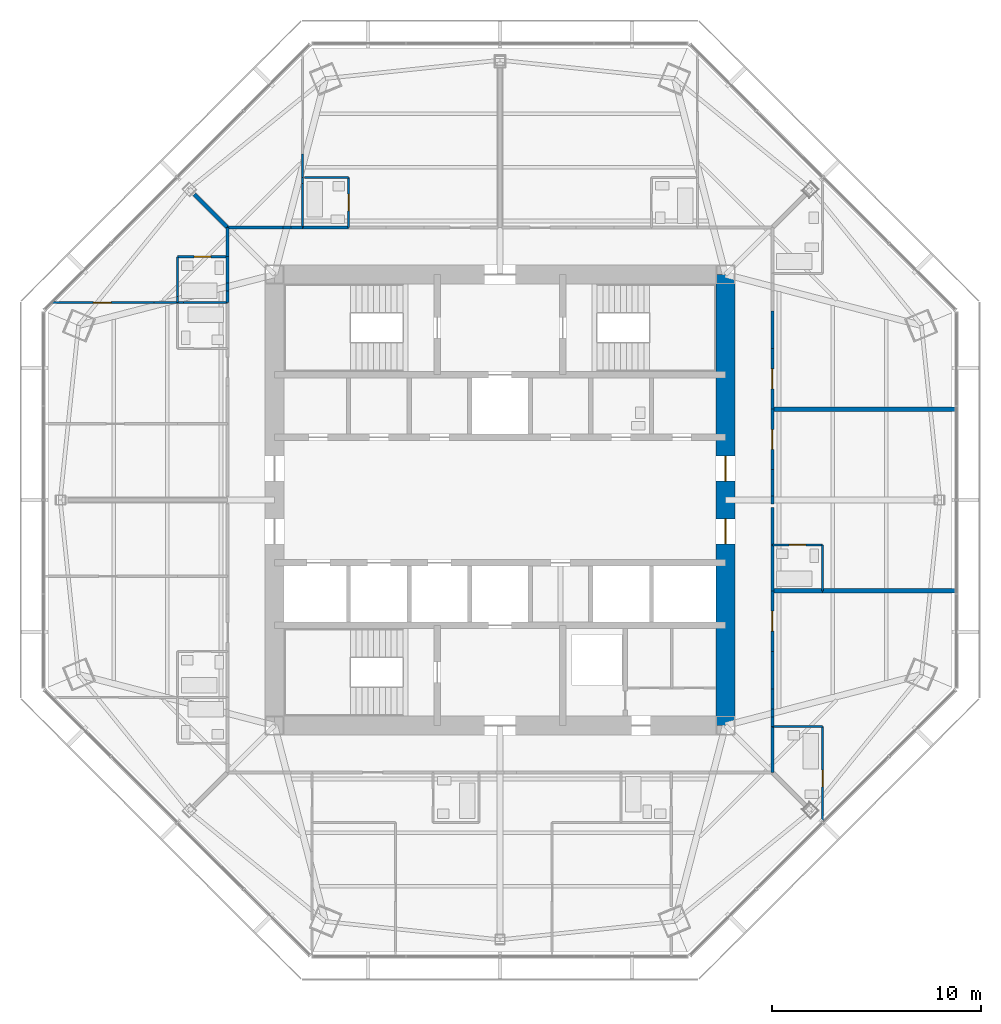
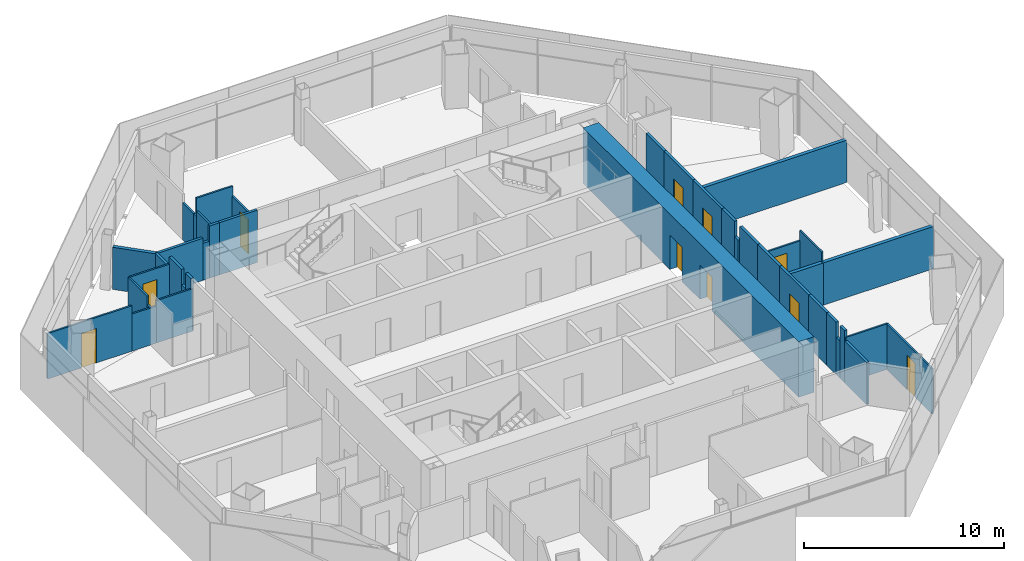
# One storey, part 11 of 16: 41 walls, 10 doors, 10 openings.
"""IFC4 building model written with IfcOpenShell, lengths in metres."""

from ifc_helpers import new_model, si_unit, direction, frame, frame_2d, origin, place, context, subcontext, project, spatial, rectangle, extrude, material, layer, layer_set, type_object, element, fill, save


model = new_model("IFC4")

# Units and contexts
model_context = context("Model", 3, precision=1e-05, world=origin(), true_north=direction((0.0, 1.0)))
body_context = subcontext(model_context, "Body", "Model", "MODEL_VIEW")
ifc_project = project(units=[si_unit("LENGTHUNIT", "METRE"), si_unit("AREAUNIT", "SQUARE_METRE"), si_unit("VOLUMEUNIT", "CUBIC_METRE"), si_unit("PLANEANGLEUNIT", "RADIAN"), si_unit("MASSUNIT", "GRAM", prefix="KILO")], contexts=[model_context])

# Site, building, storey
site_placement = place(None, origin())
site = spatial("IfcSite", under=ifc_project, at=site_placement, CompositionType="ELEMENT")
building_placement = place(site_placement, origin())
building = spatial("IfcBuilding", under=site, at=building_placement, Name="Mashrafa Tower", CompositionType="ELEMENT")
storey_placement = place(building_placement, frame((0.0, 0.0, 217.60009765625)))
storey = spatial("IfcBuildingStorey", under=building, at=storey_placement, Name="L50", CompositionType="ELEMENT", Elevation=217.60009765625)

# Walls
ifc_material_1 = material(Name="Gypsum board on steel studs", Category="steel")
ifc_layer_1 = layer(ifc_material_1, 0.199951171875)
ifc_layer_set_1 = layer_set([ifc_layer_1], Name="Acoustic partition 200 1 hr")
wall_type_1 = type_object("IfcWallType", Name="Acoustic partition 200 1 hr", PredefinedType="PARTITIONING", material=ifc_layer_set_1)
wall_1_placement = place(storey_placement, frame((15.450927734375, -4.35009765625, 0.0), z_axis=(0.0, 0.0, 1.0), x_axis=(-1.0, 0.0, 0.0)))
element("IfcWall", 1, at=wall_1_placement, inside=storey, type_object=wall_type_1, Name="Acoustic wall L50-064", PredefinedType="PARTITIONING", context=body_context, shape_type="SweptSolid", body=[
    extrude(rectangle(XDim=2.40087890625, YDim=0.199951171875, at=frame_2d((1.200439453125, 0.0))), origin(), (0.0, 0.0, 1.0), 2.590576171875),
])
wall_2_placement = place(storey_placement, frame((21.841064453125, -4.35009765625, 0.0), z_axis=(0.0, 0.0, 1.0), x_axis=(-1.0, 0.0, 0.0)))
element("IfcWall", 2, at=wall_2_placement, inside=storey, type_object=wall_type_1, Name="Acoustic wall L50-065", PredefinedType="PARTITIONING", context=body_context, shape_type="SweptSolid", body=[
    extrude(rectangle(XDim=6.39208984375, YDim=0.199951171875, at=frame_2d((3.196044921875, 0.0))), origin(), (0.0, 0.0, 1.0), 2.590576171875),
])
wall_3_placement = place(storey_placement, frame((21.841064453125, 4.35009765625, 0.0), z_axis=(0.0, 0.0, 1.0), x_axis=(-1.0, 0.0, 0.0)))
element("IfcWall", 3, at=wall_3_placement, inside=storey, type_object=wall_type_1, Name="Acoustic wall L50-068", PredefinedType="PARTITIONING", context=body_context, shape_type="SweptSolid", body=[
    extrude(rectangle(XDim=8.791015625, YDim=0.199951171875, at=frame_2d((4.3955078125, 0.0))), origin(), (0.0, 0.0, 1.0), 2.590576171875),
])
wall_4_placement = place(storey_placement, frame((-14.6328125, 14.6328125, 0.0), z_axis=(0.0, 0.0, 1.0), x_axis=(0.707106781187, -0.707106781187, 0.0)))
element("IfcWall", 4, at=wall_4_placement, inside=storey, type_object=wall_type_1, Name="Acoustic wall L50-083", PredefinedType="PARTITIONING", context=body_context, shape_type="SweptSolid", body=[
    extrude(rectangle(XDim=2.23828125, YDim=0.199951171875, at=frame_2d((1.119140625, 0.0))), origin(), (0.0, 0.0, 1.0), 2.577880859375),
])

# Wall, openings, doors
ifc_material_2 = material(Name="Concrete C50/60", Category="concrete")
ifc_layer_2 = layer(ifc_material_2, 0.89990234375)
ifc_layer_set_2 = layer_set([ifc_layer_2], Name="Core wall 900 C50/60")
wall_type_2 = type_object("IfcWallType", Name="Core wall 900 C50/60", PredefinedType="SOLIDWALL", material=ifc_layer_set_2)
wall_5_placement = place(storey_placement, frame((10.800048828125, -10.800048828125, 0.0), z_axis=(0.0, 0.0, 1.0), x_axis=(0.0, 1.0, 0.0)))
wall_5 = element("IfcWall", 5, at=wall_5_placement, inside=storey, type_object=wall_type_2, Name="Core wall CW-E L50", PredefinedType="SOLIDWALL", context=body_context, shape_type="SweptSolid", body=[
    extrude(rectangle(XDim=21.60009765625, YDim=0.89990234375, at=frame_2d((10.800048828125, 0.0))), origin(), (0.0, 0.0, 1.0), 3.39990234375),
])
opening_1_placement = place(wall_5_placement, frame((11.699951171875, 0.0, 0.0)))
opening_1 = element("IfcOpeningElement", 6, at=opening_1_placement, cuts=wall_5, Name="Opening 50.030", PredefinedType="OPENING", context=body_context, shape_type="SweptSolid", body=[
    extrude(rectangle(XDim=1.199951171875, YDim=2.10009765625, at=frame_2d((0.60009765625, 1.050048828125))), frame((0.0, 0.4599609375, 0.0), z_axis=(0.0, -1.0, 0.0), x_axis=(1.0, 0.0, 0.0)), (0.0, 0.0, 1.0), 0.919921875),
])
opening_2_placement = place(wall_5_placement, frame((8.699951171875, 0.0, 0.0)))
opening_2 = element("IfcOpeningElement", 7, at=opening_2_placement, cuts=wall_5, Name="Opening 50.032", PredefinedType="OPENING", context=body_context, shape_type="SweptSolid", body=[
    extrude(rectangle(XDim=1.199951171875, YDim=2.10009765625, at=frame_2d((0.60009765625, 1.050048828125))), frame((0.0, 0.4599609375, 0.0), z_axis=(0.0, -1.0, 0.0), x_axis=(1.0, 0.0, 0.0)), (0.0, 0.0, 1.0), 0.919921875),
])
ifc_material_3 = material(Name="Steel door", Category="steel")
door_type_1 = type_object("IfcDoorType", Name="Lift hall door 1200 x 2100 90 min", OperationType="USERDEFINED", PredefinedType="DOOR", material=ifc_material_3)
door_1_placement = place(opening_1_placement, frame((1.199951171875, 0.0, 0.0), z_axis=(0.0, 0.0, 1.0), x_axis=(-1.0, 0.0, 0.0)))
door_1 = element("IfcDoor", 8, at=door_1_placement, inside=storey, type_object=door_type_1, Name="Lift hall door east L50", OperationType="SINGLE_SWING_LEFT", OverallHeight=2.10009765625, OverallWidth=1.199951171875, PredefinedType="DOOR", context=body_context, shape_type="SweptSolid", body=[
    extrude(rectangle(XDim=1.199951171875, YDim=2.10009765625, at=frame_2d((0.60009765625, 1.050048828125))), frame((0.0, 0.02490234375, 0.0), z_axis=(0.0, -1.0, 0.0), x_axis=(1.0, 0.0, 0.0)), (0.0, 0.0, 1.0), 0.050048828125),
])
fill(opening_1, door_1)
door_2_placement = place(opening_2_placement, frame((1.199951171875, 0.0, 0.0), z_axis=(0.0, 0.0, 1.0), x_axis=(-1.0, 0.0, 0.0)))
door_2 = element("IfcDoor", 9, at=door_2_placement, inside=storey, type_object=door_type_1, Name="Lift hall door east L50", OperationType="SINGLE_SWING_RIGHT", OverallHeight=2.10009765625, OverallWidth=1.199951171875, PredefinedType="DOOR", context=body_context, shape_type="SweptSolid", body=[
    extrude(rectangle(XDim=1.199951171875, YDim=2.10009765625, at=frame_2d((0.60009765625, 1.050048828125))), frame((0.0, 0.02490234375, 0.0), z_axis=(0.0, -1.0, 0.0), x_axis=(1.0, 0.0, 0.0)), (0.0, 0.0, 1.0), 0.050048828125),
])
fill(opening_2, door_2)

# Walls
ifc_material_4 = material(Name="Gypsum board on steel studs", Category="steel")
ifc_layer_3 = layer(ifc_material_4, 0.14990234375)
ifc_layer_set_3 = layer_set([ifc_layer_3], Name="Corridor partition 150 1 hr")
wall_type_3 = type_object("IfcWallType", Name="Corridor partition 150 1 hr", PredefinedType="PARTITIONING", material=ifc_layer_set_3)
wall_6_placement = place(storey_placement, frame((13.050048828125, -13.050048828125, 0.0), z_axis=(0.0, 0.0, 1.0), x_axis=(0.0, 1.0, 0.0)))
element("IfcWall", 10, at=wall_6_placement, inside=storey, type_object=wall_type_3, Name="Corridor wall L50-001", PredefinedType="PARTITIONING", context=body_context, shape_type="SweptSolid", body=[
    extrude(rectangle(XDim=2.200927734375, YDim=0.14990234375, at=frame_2d((1.1005859375, 0.0))), origin(), (0.0, 0.0, 1.0), 2.577880859375),
])
wall_7_placement = place(storey_placement, frame((13.050048828125, -9.051025390625, 0.0), z_axis=(0.0, 0.0, 1.0), x_axis=(0.0, 1.0, 0.0)))
element("IfcWall", 11, at=wall_7_placement, inside=storey, type_object=wall_type_3, Name="Corridor wall L50-002", PredefinedType="PARTITIONING", context=body_context, shape_type="SweptSolid", body=[
    extrude(rectangle(XDim=1.802001953125, YDim=0.14990234375, at=frame_2d((0.90087890625, 0.0))), origin(), (0.0, 0.0, 1.0), 3.199951171875),
])
wall_8_placement = place(storey_placement, frame((13.050048828125, -10.85107421875, 0.0), z_axis=(0.0, 0.0, 1.0), x_axis=(0.0, 1.0, 0.0)))
element("IfcWall", 12, at=wall_8_placement, inside=storey, type_object=wall_type_3, Name="Corridor wall L50-003", PredefinedType="PARTITIONING", context=body_context, shape_type="SweptSolid", body=[
    extrude(rectangle(XDim=0.46240234375, YDim=0.14990234375, at=frame_2d((0.231201171875, 0.0))), origin(), (0.0, 0.0, 1.0), 3.199951171875),
])
wall_9_placement = place(storey_placement, frame((13.050048828125, -10.010986328125, 0.0), z_axis=(0.0, 0.0, 1.0), x_axis=(0.0, 1.0, 0.0)))
element("IfcWall", 13, at=wall_9_placement, inside=storey, type_object=wall_type_3, Name="Corridor wall L50-004", PredefinedType="PARTITIONING", context=body_context, shape_type="SweptSolid", body=[
    extrude(rectangle(XDim=0.9619140625, YDim=0.14990234375, at=frame_2d((0.48095703125, 0.0))), origin(), (0.0, 0.0, 1.0), 3.199951171875),
])
wall_10_placement = place(storey_placement, frame((13.050048828125, -10.388671875, 0.0), z_axis=(0.0, 0.0, 1.0), x_axis=(0.0, 1.0, 0.0)))
element("IfcWall", 14, at=wall_10_placement, inside=storey, type_object=wall_type_3, Name="Corridor wall L50-005", PredefinedType="PARTITIONING", context=body_context, shape_type="SweptSolid", body=[
    extrude(rectangle(XDim=0.377685546875, YDim=0.14990234375, at=frame_2d((0.18896484375, 0.0))), origin(), (0.0, 0.0, 1.0), 2.26806640625),
])

# Wall, opening, door
wall_11_placement = place(storey_placement, frame((13.050048828125, -7.2509765625, 0.0), z_axis=(0.0, 0.0, 1.0), x_axis=(0.0, 1.0, 0.0)))
wall_11 = element("IfcWall", 15, at=wall_11_placement, inside=storey, type_object=wall_type_3, Name="Corridor wall L50-006", PredefinedType="PARTITIONING", context=body_context, shape_type="SweptSolid", body=[
    extrude(rectangle(XDim=2.90185546875, YDim=0.14990234375, at=frame_2d((1.450927734375, 0.0))), origin(), (0.0, 0.0, 1.0), 3.199951171875),
])
opening_3_placement = place(wall_11_placement, frame((0.97607421875, 0.0, 0.0)))
opening_3 = element("IfcOpeningElement", 16, at=opening_3_placement, cuts=wall_11, Name="Opening 50.002", PredefinedType="OPENING", context=body_context, shape_type="SweptSolid", body=[
    extrude(rectangle(XDim=0.949951171875, YDim=2.10009765625, at=frame_2d((0.47509765625, 1.050048828125))), frame((0.0, 0.0849609375, 0.0), z_axis=(0.0, -1.0, 0.0), x_axis=(1.0, 0.0, 0.0)), (0.0, 0.0, 1.0), 0.169921875),
])
ifc_material_5 = material(Name="Steel door", Category="steel")
door_type_2 = type_object("IfcDoorType", Name="Residence entrance door 950 x 2100 20 min", OperationType="USERDEFINED", PredefinedType="DOOR", material=ifc_material_5)
door_3_placement = place(opening_3_placement, frame((0.949951171875, 0.0, 0.0), z_axis=(0.0, 0.0, 1.0), x_axis=(-1.0, 0.0, 0.0)))
door_3 = element("IfcDoor", 17, at=door_3_placement, inside=storey, type_object=door_type_2, Name="Apartment 5001 Studio Living Room door", OperationType="SINGLE_SWING_LEFT", OverallHeight=2.10009765625, OverallWidth=0.949951171875, PredefinedType="DOOR", context=body_context, shape_type="SweptSolid", body=[
    extrude(rectangle(XDim=0.949951171875, YDim=2.10009765625, at=frame_2d((0.47509765625, 1.050048828125))), frame((0.0, 0.02490234375, 0.0), z_axis=(0.0, -1.0, 0.0), x_axis=(1.0, 0.0, 0.0)), (0.0, 0.0, 1.0), 0.050048828125),
])
fill(opening_3, door_3)

# Walls
wall_12_placement = place(storey_placement, frame((13.050048828125, -4.35107421875, 0.0), z_axis=(0.0, 0.0, 1.0), x_axis=(0.0, 1.0, 0.0)))
element("IfcWall", 18, at=wall_12_placement, inside=storey, type_object=wall_type_3, Name="Corridor wall L50-007", PredefinedType="PARTITIONING", context=body_context, shape_type="SweptSolid", body=[
    extrude(rectangle(XDim=2.2021484375, YDim=0.14990234375, at=frame_2d((1.10107421875, 0.0))), origin(), (0.0, 0.0, 1.0), 3.199951171875),
])
wall_13_placement = place(storey_placement, frame((13.050048828125, 0.18359375, 0.0), z_axis=(0.0, 0.0, 1.0), x_axis=(0.0, 1.0, 0.0)))
element("IfcWall", 19, at=wall_13_placement, inside=storey, type_object=wall_type_3, Name="Corridor wall L50-008", PredefinedType="PARTITIONING", context=body_context, shape_type="SweptSolid", body=[
    extrude(rectangle(XDim=1.267333984375, YDim=0.14990234375, at=frame_2d((0.6337890625, 0.0))), origin(), (0.0, 0.0, 1.0), 3.199951171875),
])
wall_14_placement = place(storey_placement, frame((13.050048828125, -0.18359375, 0.0), z_axis=(0.0, 0.0, 1.0), x_axis=(0.0, 1.0, 0.0)))
element("IfcWall", 20, at=wall_14_placement, inside=storey, type_object=wall_type_3, Name="Corridor wall L50-009", PredefinedType="PARTITIONING", context=body_context, shape_type="SweptSolid", body=[
    extrude(rectangle(XDim=0.3671875, YDim=0.14990234375, at=frame_2d((0.18359375, 0.0))), origin(), (0.0, 0.0, 1.0), 2.252685546875),
])
wall_15_placement = place(storey_placement, frame((13.050048828125, -2.15087890625, 0.0), z_axis=(0.0, 0.0, 1.0), x_axis=(0.0, 1.0, 0.0)))
element("IfcWall", 21, at=wall_15_placement, inside=storey, type_object=wall_type_3, Name="Corridor wall L50-010", PredefinedType="PARTITIONING", context=body_context, shape_type="SweptSolid", body=[
    extrude(rectangle(XDim=1.8017578125, YDim=0.14990234375, at=frame_2d((0.90087890625, 0.0))), origin(), (0.0, 0.0, 1.0), 3.199951171875),
])

# Wall, opening, door
wall_16_placement = place(storey_placement, frame((13.050048828125, 1.448974609375, 0.0), z_axis=(0.0, 0.0, 1.0), x_axis=(0.0, 1.0, 0.0)))
wall_16 = element("IfcWall", 22, at=wall_16_placement, inside=storey, type_object=wall_type_3, Name="Corridor wall L50-011", PredefinedType="PARTITIONING", context=body_context, shape_type="SweptSolid", body=[
    extrude(rectangle(XDim=2.902099609375, YDim=0.14990234375, at=frame_2d((1.451171875, 0.0))), origin(), (0.0, 0.0, 1.0), 3.199951171875),
])
opening_4_placement = place(wall_16_placement, frame((0.97607421875, 0.0, 0.0)))
opening_4 = element("IfcOpeningElement", 23, at=opening_4_placement, cuts=wall_16, Name="Opening 50.004", PredefinedType="OPENING", context=body_context, shape_type="SweptSolid", body=[
    extrude(rectangle(XDim=0.949951171875, YDim=2.10009765625, at=frame_2d((0.47509765625, 1.050048828125))), frame((0.0, 0.0849609375, 0.0), z_axis=(0.0, -1.0, 0.0), x_axis=(1.0, 0.0, 0.0)), (0.0, 0.0, 1.0), 0.169921875),
])
door_4_placement = place(opening_4_placement, frame((0.949951171875, 0.0, 0.0), z_axis=(0.0, 0.0, 1.0), x_axis=(-1.0, 0.0, 0.0)))
door_4 = element("IfcDoor", 24, at=door_4_placement, inside=storey, type_object=door_type_2, Name="Apartment 5002 Studio Living Room door", OperationType="SINGLE_SWING_LEFT", OverallHeight=2.10009765625, OverallWidth=0.949951171875, PredefinedType="DOOR", context=body_context, shape_type="SweptSolid", body=[
    extrude(rectangle(XDim=0.949951171875, YDim=2.10009765625, at=frame_2d((0.47509765625, 1.050048828125))), frame((0.0, 0.02490234375, 0.0), z_axis=(0.0, -1.0, 0.0), x_axis=(1.0, 0.0, 0.0)), (0.0, 0.0, 1.0), 0.050048828125),
])
fill(opening_4, door_4)

# Wall
wall_17_placement = place(storey_placement, frame((13.050048828125, 7.2490234375, 0.0), z_axis=(0.0, 0.0, 1.0), x_axis=(0.0, 1.0, 0.0)))
element("IfcWall", 25, at=wall_17_placement, inside=storey, type_object=wall_type_3, Name="Corridor wall L50-013", PredefinedType="PARTITIONING", context=body_context, shape_type="SweptSolid", body=[
    extrude(rectangle(XDim=1.802001953125, YDim=0.14990234375, at=frame_2d((0.90087890625, 0.0))), origin(), (0.0, 0.0, 1.0), 3.199951171875),
])

# Wall, opening, door
wall_18_placement = place(storey_placement, frame((13.050048828125, 4.34912109375, 0.0), z_axis=(0.0, 0.0, 1.0), x_axis=(0.0, 1.0, 0.0)))
wall_18 = element("IfcWall", 26, at=wall_18_placement, inside=storey, type_object=wall_type_3, Name="Corridor wall L50-014", PredefinedType="PARTITIONING", context=body_context, shape_type="SweptSolid", body=[
    extrude(rectangle(XDim=2.90185546875, YDim=0.14990234375, at=frame_2d((1.450927734375, 0.0))), origin(), (0.0, 0.0, 1.0), 3.199951171875),
])
opening_5_placement = place(wall_18_placement, frame((0.97607421875, 0.0, 0.0)))
opening_5 = element("IfcOpeningElement", 27, at=opening_5_placement, cuts=wall_18, Name="Opening 50.006", PredefinedType="OPENING", context=body_context, shape_type="SweptSolid", body=[
    extrude(rectangle(XDim=0.949951171875, YDim=2.10009765625, at=frame_2d((0.47509765625, 1.050048828125))), frame((0.0, 0.0849609375, 0.0), z_axis=(0.0, -1.0, 0.0), x_axis=(1.0, 0.0, 0.0)), (0.0, 0.0, 1.0), 0.169921875),
])
door_5_placement = place(opening_5_placement, frame((0.949951171875, 0.0, 0.0), z_axis=(0.0, 0.0, 1.0), x_axis=(-1.0, 0.0, 0.0)))
door_5 = element("IfcDoor", 28, at=door_5_placement, inside=storey, type_object=door_type_2, Name="Apartment 5003 Studio Living Room door", OperationType="SINGLE_SWING_RIGHT", OverallHeight=2.10009765625, OverallWidth=0.949951171875, PredefinedType="DOOR", context=body_context, shape_type="SweptSolid", body=[
    extrude(rectangle(XDim=0.949951171875, YDim=2.10009765625, at=frame_2d((0.47509765625, 1.050048828125))), frame((0.0, 0.02490234375, 0.0), z_axis=(0.0, -1.0, 0.0), x_axis=(1.0, 0.0, 0.0)), (0.0, 0.0, 1.0), 0.050048828125),
])
fill(opening_5, door_5)

# Walls
wall_19_placement = place(storey_placement, frame((-9.448974609375, 13.050048828125, 0.0), z_axis=(0.0, 0.0, 1.0), x_axis=(-1.0, 0.0, 0.0)))
element("IfcWall", 29, at=wall_19_placement, inside=storey, type_object=wall_type_3, Name="Corridor wall L50-025", PredefinedType="PARTITIONING", context=body_context, shape_type="SweptSolid", body=[
    extrude(rectangle(XDim=0.56201171875, YDim=0.14990234375, at=frame_2d((0.281005859375, 0.0))), origin(), (0.0, 0.0, 1.0), 3.199951171875),
])
wall_20_placement = place(storey_placement, frame((-10.388671875, 13.050048828125, 0.0), z_axis=(0.0, 0.0, 1.0), x_axis=(-1.0, 0.0, 0.0)))
element("IfcWall", 30, at=wall_20_placement, inside=storey, type_object=wall_type_3, Name="Corridor wall L50-026", PredefinedType="PARTITIONING", context=body_context, shape_type="SweptSolid", body=[
    extrude(rectangle(XDim=2.661376953125, YDim=0.14990234375, at=frame_2d((1.33056640625, 0.0))), origin(), (0.0, 0.0, 1.0), 2.577880859375),
])
wall_21_placement = place(storey_placement, frame((-10.010986328125, 13.050048828125, 0.0), z_axis=(0.0, 0.0, 1.0), x_axis=(-1.0, 0.0, 0.0)))
element("IfcWall", 31, at=wall_21_placement, inside=storey, type_object=wall_type_3, Name="Corridor wall L50-027", PredefinedType="PARTITIONING", context=body_context, shape_type="SweptSolid", body=[
    extrude(rectangle(XDim=0.377685546875, YDim=0.14990234375, at=frame_2d((0.18896484375, 0.0))), origin(), (0.0, 0.0, 1.0), 2.26806640625),
])
wall_22_placement = place(storey_placement, frame((-7.2490234375, 13.050048828125, 0.0), z_axis=(0.0, 0.0, 1.0), x_axis=(-1.0, 0.0, 0.0)))
element("IfcWall", 32, at=wall_22_placement, inside=storey, type_object=wall_type_3, Name="Corridor wall L50-028", PredefinedType="PARTITIONING", context=body_context, shape_type="SweptSolid", body=[
    extrude(rectangle(XDim=2.201904296875, YDim=0.14990234375, at=frame_2d((1.10107421875, 0.0))), origin(), (0.0, 0.0, 1.0), 3.199951171875),
])
wall_23_placement = place(storey_placement, frame((-13.050048828125, 11.65087890625, 0.0), z_axis=(0.0, 0.0, 1.0), x_axis=(0.0, -1.0, 0.0)))
element("IfcWall", 33, at=wall_23_placement, inside=storey, type_object=wall_type_3, Name="Corridor wall L50-032", PredefinedType="PARTITIONING", context=body_context, shape_type="SweptSolid", body=[
    extrude(rectangle(XDim=1.26220703125, YDim=0.14990234375, at=frame_2d((0.631103515625, 0.0))), origin(), (0.0, 0.0, 1.0), 3.199951171875),
])
wall_24_placement = place(storey_placement, frame((-13.050048828125, 10.010986328125, 0.0), z_axis=(0.0, 0.0, 1.0), x_axis=(0.0, -1.0, 0.0)))
element("IfcWall", 34, at=wall_24_placement, inside=storey, type_object=wall_type_3, Name="Corridor wall L50-033", PredefinedType="PARTITIONING", context=body_context, shape_type="SweptSolid", body=[
    extrude(rectangle(XDim=0.56201171875, YDim=0.14990234375, at=frame_2d((0.281005859375, 0.0))), origin(), (0.0, 0.0, 1.0), 3.199951171875),
])
wall_25_placement = place(storey_placement, frame((-13.050048828125, 10.388671875, 0.0), z_axis=(0.0, 0.0, 1.0), x_axis=(0.0, -1.0, 0.0)))
element("IfcWall", 35, at=wall_25_placement, inside=storey, type_object=wall_type_3, Name="Corridor wall L50-034", PredefinedType="PARTITIONING", context=body_context, shape_type="SweptSolid", body=[
    extrude(rectangle(XDim=0.377685546875, YDim=0.14990234375, at=frame_2d((0.18896484375, 0.0))), origin(), (0.0, 0.0, 1.0), 2.26806640625),
])
wall_26_placement = place(storey_placement, frame((-13.050048828125, 13.050048828125, 0.0), z_axis=(0.0, 0.0, 1.0), x_axis=(0.0, -1.0, 0.0)))
element("IfcWall", 36, at=wall_26_placement, inside=storey, type_object=wall_type_3, Name="Corridor wall L50-035", PredefinedType="PARTITIONING", context=body_context, shape_type="SweptSolid", body=[
    extrude(rectangle(XDim=1.401123046875, YDim=0.14990234375, at=frame_2d((0.70068359375, 0.0))), origin(), (0.0, 0.0, 1.0), 2.577880859375),
])

# Wall, opening, door
ifc_material_6 = material(Name="Gypsum board on steel studs", Category="steel")
ifc_layer_4 = layer(ifc_material_6, 0.10009765625)
ifc_layer_set_4 = layer_set([ifc_layer_4], Name="Partition 100")
wall_type_4 = type_object("IfcWallType", Name="Partition 100", PredefinedType="PARTITIONING", material=ifc_layer_set_4)
wall_27_placement = place(storey_placement, frame((15.449951171875, -15.405517578125, 0.0), z_axis=(0.0, 0.0, 1.0), x_axis=(0.0, 1.0, 0.0)))
wall_27 = element("IfcWall", 37, at=wall_27_placement, inside=storey, type_object=wall_type_4, Name="Partition wall L50-061", PredefinedType="PARTITIONING", context=body_context, shape_type="SweptSolid", body=[
    extrude(rectangle(XDim=4.555419921875, YDim=0.10009765625, at=frame_2d((2.27783203125, 0.0))), origin(), (0.0, 0.0, 1.0), 2.783447265625),
])
opening_6_placement = place(wall_27_placement, frame((1.662841796875, 0.0, 0.0)))
opening_6 = element("IfcOpeningElement", 38, at=opening_6_placement, cuts=wall_27, Name="Opening 50.001", PredefinedType="OPENING", context=body_context, shape_type="SweptSolid", body=[
    extrude(rectangle(XDim=0.800048828125, YDim=2.10009765625, at=frame_2d((0.39990234375, 1.050048828125))), frame((0.0, 0.06005859375, 0.0), z_axis=(0.0, -1.0, 0.0), x_axis=(1.0, 0.0, 0.0)), (0.0, 0.0, 1.0), 0.1201171875),
])
ifc_material_7 = material(Name="Timber door", Category="wood")
door_type_3 = type_object("IfcDoorType", Name="Bathroom door 800 x 2100", OperationType="USERDEFINED", PredefinedType="DOOR", material=ifc_material_7)
door_6_placement = place(opening_6_placement, origin())
door_6 = element("IfcDoor", 39, at=door_6_placement, inside=storey, type_object=door_type_3, Name="Apartment 5001 Bathroom door", OperationType="SINGLE_SWING_LEFT", OverallHeight=2.10009765625, OverallWidth=0.800048828125, PredefinedType="DOOR", context=body_context, shape_type="SweptSolid", body=[
    extrude(rectangle(XDim=0.800048828125, YDim=2.10009765625, at=frame_2d((0.39990234375, 1.050048828125))), frame((0.0, 0.02490234375, 0.0), z_axis=(0.0, -1.0, 0.0), x_axis=(1.0, 0.0, 0.0)), (0.0, 0.0, 1.0), 0.050048828125),
])
fill(opening_6, door_6)

# Walls
wall_28_placement = place(storey_placement, frame((15.449951171875, -10.85009765625, 0.0), z_axis=(0.0, 0.0, 1.0), x_axis=(-1.0, 0.0, 0.0)))
element("IfcWall", 40, at=wall_28_placement, inside=storey, type_object=wall_type_4, Name="Partition wall L50-062", PredefinedType="PARTITIONING", context=body_context, shape_type="SweptSolid", body=[
    extrude(rectangle(XDim=2.39990234375, YDim=0.10009765625, at=frame_2d((1.199951171875, 0.0))), origin(), (0.0, 0.0, 1.0), 2.785888671875),
])
wall_29_placement = place(storey_placement, frame((15.449951171875, -4.35009765625, 0.0), z_axis=(0.0, 0.0, 1.0), x_axis=(0.0, 1.0, 0.0)))
element("IfcWall", 41, at=wall_29_placement, inside=storey, type_object=wall_type_4, Name="Partition wall L50-066", PredefinedType="PARTITIONING", context=body_context, shape_type="SweptSolid", body=[
    extrude(rectangle(XDim=2.2001953125, YDim=0.10009765625, at=frame_2d((1.10009765625, 0.0))), origin(), (0.0, 0.0, 1.0), 3.199951171875),
])

# Wall, opening, door
wall_30_placement = place(storey_placement, frame((15.449951171875, -2.14990234375, 0.0), z_axis=(0.0, 0.0, 1.0), x_axis=(-1.0, 0.0, 0.0)))
wall_30 = element("IfcWall", 42, at=wall_30_placement, inside=storey, type_object=wall_type_4, Name="Partition wall L50-067", PredefinedType="PARTITIONING", context=body_context, shape_type="SweptSolid", body=[
    extrude(rectangle(XDim=2.39990234375, YDim=0.10009765625, at=frame_2d((1.199951171875, 0.0))), origin(), (0.0, 0.0, 1.0), 2.590576171875),
])
opening_7_placement = place(wall_30_placement, frame((0.800048828125, 0.0, 0.0)))
opening_7 = element("IfcOpeningElement", 43, at=opening_7_placement, cuts=wall_30, Name="Opening 50.003", PredefinedType="OPENING", context=body_context, shape_type="SweptSolid", body=[
    extrude(rectangle(XDim=0.800048828125, YDim=2.10009765625, at=frame_2d((0.39990234375, 1.050048828125))), frame((0.0, 0.06005859375, 0.0), z_axis=(0.0, -1.0, 0.0), x_axis=(1.0, 0.0, 0.0)), (0.0, 0.0, 1.0), 0.1201171875),
])
door_7_placement = place(opening_7_placement, origin())
door_7 = element("IfcDoor", 44, at=door_7_placement, inside=storey, type_object=door_type_3, Name="Apartment 5002 Bathroom door", OperationType="SINGLE_SWING_RIGHT", OverallHeight=2.10009765625, OverallWidth=0.800048828125, PredefinedType="DOOR", context=body_context, shape_type="SweptSolid", body=[
    extrude(rectangle(XDim=0.800048828125, YDim=2.10009765625, at=frame_2d((0.39990234375, 1.050048828125))), frame((0.0, 0.02490234375, 0.0), z_axis=(0.0, -1.0, 0.0), x_axis=(1.0, 0.0, 0.0)), (0.0, 0.0, 1.0), 0.050048828125),
])
fill(opening_7, door_7)

# Walls
wall_31_placement = place(storey_placement, frame((-9.449951171875, 13.050048828125, 0.0), z_axis=(0.0, 0.0, 1.0), x_axis=(0.0, 1.0, 0.0)))
element("IfcWall", 45, at=wall_31_placement, inside=storey, type_object=wall_type_4, Name="Partition wall L50-079", PredefinedType="PARTITIONING", context=body_context, shape_type="SweptSolid", body=[
    extrude(rectangle(XDim=2.10302734375, YDim=0.10009765625, at=frame_2d((1.051513671875, 0.0))), origin(), (0.0, 0.0, 1.0), 2.590576171875),
])
wall_32_placement = place(storey_placement, frame((-9.449951171875, 15.153076171875, 0.0), z_axis=(0.0, 0.0, 1.0), x_axis=(0.0, 1.0, 0.0)))
element("IfcWall", 46, at=wall_32_placement, inside=storey, type_object=wall_type_4, Name="Partition wall L50-080", PredefinedType="PARTITIONING", context=body_context, shape_type="SweptSolid", body=[
    extrude(rectangle(XDim=0.2978515625, YDim=0.10009765625, at=frame_2d((0.14892578125, 0.0))), origin(), (0.0, 0.0, 1.0), 2.26806640625),
])
wall_33_placement = place(storey_placement, frame((-9.449951171875, 15.448974609375, 0.0), z_axis=(0.0, 0.0, 1.0), x_axis=(0.0, 1.0, 0.0)))
element("IfcWall", 47, at=wall_33_placement, inside=storey, type_object=wall_type_4, Name="Partition wall L50-082", PredefinedType="PARTITIONING", context=body_context, shape_type="SweptSolid", body=[
    extrude(rectangle(XDim=1.119384765625, YDim=0.10009765625, at=frame_2d((0.5595703125, 0.0))), origin(), (0.0, 0.0, 1.0), 2.26806640625),
])

# Wall, opening, door
wall_34_placement = place(storey_placement, frame((-7.25, 13.050048828125, 0.0), z_axis=(0.0, 0.0, 1.0), x_axis=(0.0, 1.0, 0.0)))
wall_34 = element("IfcWall", 48, at=wall_34_placement, inside=storey, type_object=wall_type_4, Name="Partition wall L50-084", PredefinedType="PARTITIONING", context=body_context, shape_type="SweptSolid", body=[
    extrude(rectangle(XDim=2.39990234375, YDim=0.10009765625, at=frame_2d((1.199951171875, 0.0))), origin(), (0.0, 0.0, 1.0), 2.590576171875),
])
opening_8_placement = place(wall_34_placement, frame((0.800048828125, 0.0, 0.0)))
opening_8 = element("IfcOpeningElement", 49, at=opening_8_placement, cuts=wall_34, Name="Opening 50.011", PredefinedType="OPENING", context=body_context, shape_type="SweptSolid", body=[
    extrude(rectangle(XDim=0.800048828125, YDim=2.10009765625, at=frame_2d((0.39990234375, 1.050048828125))), frame((0.0, 0.06005859375, 0.0), z_axis=(0.0, -1.0, 0.0), x_axis=(1.0, 0.0, 0.0)), (0.0, 0.0, 1.0), 0.1201171875),
])
door_8_placement = place(opening_8_placement, origin())
door_8 = element("IfcDoor", 50, at=door_8_placement, inside=storey, type_object=door_type_3, Name="Apartment 5005 Bathroom door", OperationType="SINGLE_SWING_LEFT", OverallHeight=2.10009765625, OverallWidth=0.800048828125, PredefinedType="DOOR", context=body_context, shape_type="SweptSolid", body=[
    extrude(rectangle(XDim=0.800048828125, YDim=2.10009765625, at=frame_2d((0.39990234375, 1.050048828125))), frame((0.0, 0.02490234375, 0.0), z_axis=(0.0, -1.0, 0.0), x_axis=(1.0, 0.0, 0.0)), (0.0, 0.0, 1.0), 0.050048828125),
])
fill(opening_8, door_8)

# Wall
wall_35_placement = place(storey_placement, frame((-7.25, 15.449951171875, 0.0), z_axis=(0.0, 0.0, 1.0), x_axis=(-1.0, 0.0, 0.0)))
element("IfcWall", 51, at=wall_35_placement, inside=storey, type_object=wall_type_4, Name="Partition wall L50-085", PredefinedType="PARTITIONING", context=body_context, shape_type="SweptSolid", body=[
    extrude(rectangle(XDim=2.120849609375, YDim=0.10009765625, at=frame_2d((1.060546875, 0.0))), origin(), (0.0, 0.0, 1.0), 3.199951171875),
])

# Wall, opening, door
wall_36_placement = place(storey_placement, frame((-13.050048828125, 11.64990234375, 0.0), z_axis=(0.0, 0.0, 1.0), x_axis=(-1.0, 0.0, 0.0)))
wall_36 = element("IfcWall", 52, at=wall_36_placement, inside=storey, type_object=wall_type_4, Name="Partition wall L50-086", PredefinedType="PARTITIONING", context=body_context, shape_type="SweptSolid", body=[
    extrude(rectangle(XDim=2.39990234375, YDim=0.10009765625, at=frame_2d((1.199951171875, 0.0))), origin(), (0.0, 0.0, 1.0), 2.785888671875),
])
opening_9_placement = place(wall_36_placement, frame((0.800048828125, 0.0, 0.0)))
opening_9 = element("IfcOpeningElement", 53, at=opening_9_placement, cuts=wall_36, Name="Opening 50.013", PredefinedType="OPENING", context=body_context, shape_type="SweptSolid", body=[
    extrude(rectangle(XDim=0.800048828125, YDim=2.10009765625, at=frame_2d((0.39990234375, 1.050048828125))), frame((0.0, 0.06005859375, 0.0), z_axis=(0.0, -1.0, 0.0), x_axis=(1.0, 0.0, 0.0)), (0.0, 0.0, 1.0), 0.1201171875),
])
door_9_placement = place(opening_9_placement, origin())
door_9 = element("IfcDoor", 54, at=door_9_placement, inside=storey, type_object=door_type_3, Name="Apartment 5006 En-suite Bathroom door", OperationType="SINGLE_SWING_RIGHT", OverallHeight=2.10009765625, OverallWidth=0.800048828125, PredefinedType="DOOR", context=body_context, shape_type="SweptSolid", body=[
    extrude(rectangle(XDim=0.800048828125, YDim=2.10009765625, at=frame_2d((0.39990234375, 1.050048828125))), frame((0.0, 0.02490234375, 0.0), z_axis=(0.0, -1.0, 0.0), x_axis=(1.0, 0.0, 0.0)), (0.0, 0.0, 1.0), 0.050048828125),
])
fill(opening_9, door_9)

# Walls
wall_37_placement = place(storey_placement, frame((-15.449951171875, 11.64990234375, 0.0), z_axis=(0.0, 0.0, 1.0), x_axis=(0.0, -1.0, 0.0)))
element("IfcWall", 55, at=wall_37_placement, inside=storey, type_object=wall_type_4, Name="Partition wall L50-087", PredefinedType="PARTITIONING", context=body_context, shape_type="SweptSolid", body=[
    extrude(rectangle(XDim=1.901611328125, YDim=0.10009765625, at=frame_2d((0.95068359375, 0.0))), origin(), (0.0, 0.0, 1.0), 2.785888671875),
])
wall_38_placement = place(storey_placement, frame((-15.449951171875, 9.748291015625, 0.0), z_axis=(0.0, 0.0, 1.0), x_axis=(0.0, -1.0, 0.0)))
element("IfcWall", 56, at=wall_38_placement, inside=storey, type_object=wall_type_4, Name="Partition wall L50-088", PredefinedType="PARTITIONING", context=body_context, shape_type="SweptSolid", body=[
    extrude(rectangle(XDim=0.29833984375, YDim=0.10009765625, at=frame_2d((0.149169921875, 0.0))), origin(), (0.0, 0.0, 1.0), 2.26806640625),
])
wall_39_placement = place(storey_placement, frame((-15.153076171875, 9.449951171875, 0.0), z_axis=(0.0, 0.0, 1.0), x_axis=(1.0, 0.0, 0.0)))
element("IfcWall", 57, at=wall_39_placement, inside=storey, type_object=wall_type_4, Name="Partition wall L50-089", PredefinedType="PARTITIONING", context=body_context, shape_type="SweptSolid", body=[
    extrude(rectangle(XDim=2.10302734375, YDim=0.10009765625, at=frame_2d((1.051513671875, 0.0))), origin(), (0.0, 0.0, 1.0), 2.590576171875),
])
wall_40_placement = place(storey_placement, frame((-15.153076171875, 9.449951171875, 0.0), z_axis=(0.0, 0.0, 1.0), x_axis=(-1.0, 0.0, 0.0)))
element("IfcWall", 58, at=wall_40_placement, inside=storey, type_object=wall_type_4, Name="Partition wall L50-090", PredefinedType="PARTITIONING", context=body_context, shape_type="SweptSolid", body=[
    extrude(rectangle(XDim=1.415283203125, YDim=0.10009765625, at=frame_2d((0.70751953125, 0.0))), origin(), (0.0, 0.0, 1.0), 2.26806640625),
])

# Wall, opening, door
wall_41_placement = place(storey_placement, frame((-21.441650390625, 9.449951171875, 0.0), z_axis=(0.0, 0.0, 1.0), x_axis=(1.0, 0.0, 0.0)))
wall_41 = element("IfcWall", 59, at=wall_41_placement, inside=storey, type_object=wall_type_4, Name="Partition wall L50-091", PredefinedType="PARTITIONING", context=body_context, shape_type="SweptSolid", body=[
    extrude(rectangle(XDim=4.873291015625, YDim=0.10009765625, at=frame_2d((2.4365234375, 0.0))), origin(), (0.0, 0.0, 1.0), 2.783447265625),
])
opening_10_placement = place(wall_41_placement, frame((1.965087890625, 0.0, 0.0)))
opening_10 = element("IfcOpeningElement", 60, at=opening_10_placement, cuts=wall_41, Name="Opening 50.014", PredefinedType="OPENING", context=body_context, shape_type="SweptSolid", body=[
    extrude(rectangle(XDim=0.85009765625, YDim=2.10009765625, at=frame_2d((0.425048828125, 1.050048828125))), frame((0.0, 0.06005859375, 0.0), z_axis=(0.0, -1.0, 0.0), x_axis=(1.0, 0.0, 0.0)), (0.0, 0.0, 1.0), 0.1201171875),
])
ifc_material_8 = material(Name="Timber door", Category="wood")
door_type_4 = type_object("IfcDoorType", Name="Bedroom door 850 x 2100", OperationType="USERDEFINED", PredefinedType="DOOR", material=ifc_material_8)
door_10_placement = place(opening_10_placement, origin())
door_10 = element("IfcDoor", 61, at=door_10_placement, inside=storey, type_object=door_type_4, Name="Apartment 5006 Bedroom 1 door", OperationType="SINGLE_SWING_LEFT", OverallHeight=2.10009765625, OverallWidth=0.85009765625, PredefinedType="DOOR", context=body_context, shape_type="SweptSolid", body=[
    extrude(rectangle(XDim=0.85009765625, YDim=2.10009765625, at=frame_2d((0.425048828125, 1.050048828125))), frame((0.0, 0.02490234375, 0.0), z_axis=(0.0, -1.0, 0.0), x_axis=(1.0, 0.0, 0.0)), (0.0, 0.0, 1.0), 0.050048828125),
])
fill(opening_10, door_10)

save(model, "model.ifc")
